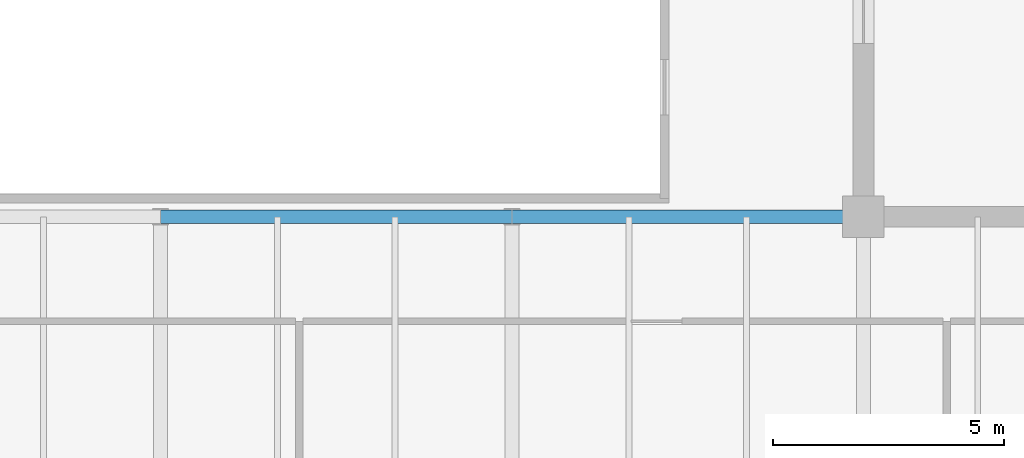
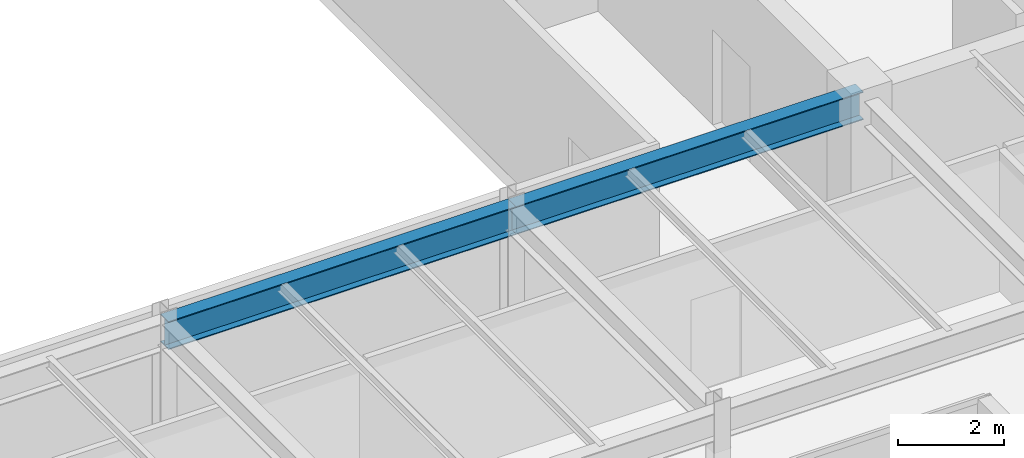
# One storey, part 13 of 34: 2 beams.
"""IFC4 building model written with IfcOpenShell, lengths in metres."""

from ifc_helpers import new_model, si_unit, direction, frame, origin, origin_2d, place, context, subcontext, project, spatial, i_section, extrude, source, transform, mapped, material, material_profile, profile_set, type_object, type_shapes, element, save


model = new_model("IFC4")

# Units and contexts
model_context = context("Model", 3, precision=1e-05, world=origin(), true_north=direction((0.0, 1.0)))
body_context = subcontext(model_context, "Body", "Model", "MODEL_VIEW")
ifc_project = project(units=[si_unit("LENGTHUNIT", "METRE"), si_unit("AREAUNIT", "SQUARE_METRE"), si_unit("VOLUMEUNIT", "CUBIC_METRE"), si_unit("PLANEANGLEUNIT", "RADIAN"), si_unit("MASSUNIT", "GRAM", prefix="KILO")], contexts=[model_context])

# Site, building, storey
site_placement = place(None, origin())
site = spatial("IfcSite", under=ifc_project, at=site_placement, CompositionType="ELEMENT")
building_placement = place(site_placement, origin())
building = spatial("IfcBuilding", under=site, at=building_placement, Name="Haelvirn Gate Laboratories", CompositionType="ELEMENT")
storey_placement = place(building_placement, frame((0.0, 0.0, 322.800048828125)))
storey = spatial("IfcBuildingStorey", under=building, at=storey_placement, Name="L77", CompositionType="ELEMENT", Elevation=322.800048828125)

# Beams
ifc_material = material(Name="Steel SM355", Category="steel")
ifc_material_profile = material_profile(ifc_material, i_section(OverallWidth=0.300048828125, OverallDepth=0.64990234375, WebThickness=0.012939453125, FlangeThickness=0.02197265625, at=origin_2d()), Name="H-650x300x13x22")
ifc_profile_set = profile_set([ifc_material_profile], Name="Steel SM355")
beam_type = type_object("IfcBeamType", Name="BM-G-650", PredefinedType="BEAM", material=ifc_profile_set)
shared_shape = source(origin(), body_context, "Body", "SweptSolid", [
    extrude(i_section(OverallWidth=0.300048828125, OverallDepth=0.64990234375, WebThickness=0.012939453125, FlangeThickness=0.02197265625, at=origin_2d()), origin(), (0.0, 0.0, 1.0), 7.60009765625),
])
type_shapes(beam_type, [shared_shape])
for number, where, z_axis, x_axis, name in (
    (1, (37.39990234375, 14.800048828125, 3.594970703125), (1.0, 0.0, 0.0), (0.0, 1.0, 0.0), "L77 Primary Girder Y14.8 (37.4-45.0)"),
    (2, (45.0, 14.800048828125, 3.594970703125), (1.0, 0.0, 0.0), (0.0, 1.0, 0.0), "L77 Primary Girder Y14.8 (45.0-52.6)"),
):
    element("IfcBeam", number, at=place(storey_placement, frame(where, z_axis=z_axis, x_axis=x_axis)), inside=storey, type_object=beam_type, Name=name, PredefinedType="BEAM", context=body_context, shape_type="MappedRepresentation", body=[
        mapped(shared_shape, transform((0.0, 0.0, 0.0), scale=1.0)),
    ])

save(model, "model.ifc")
